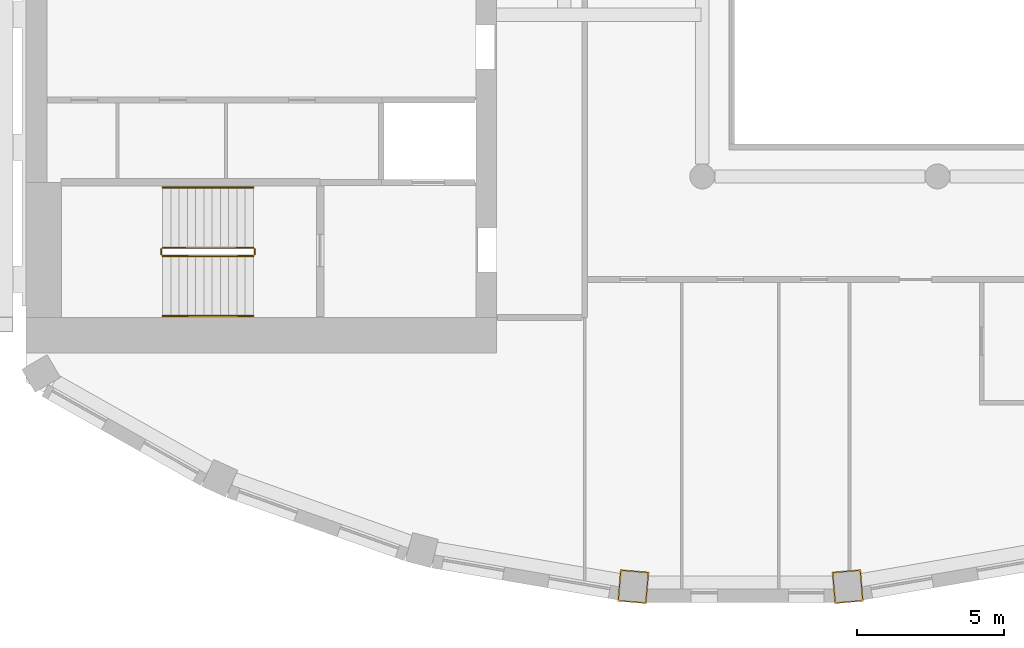
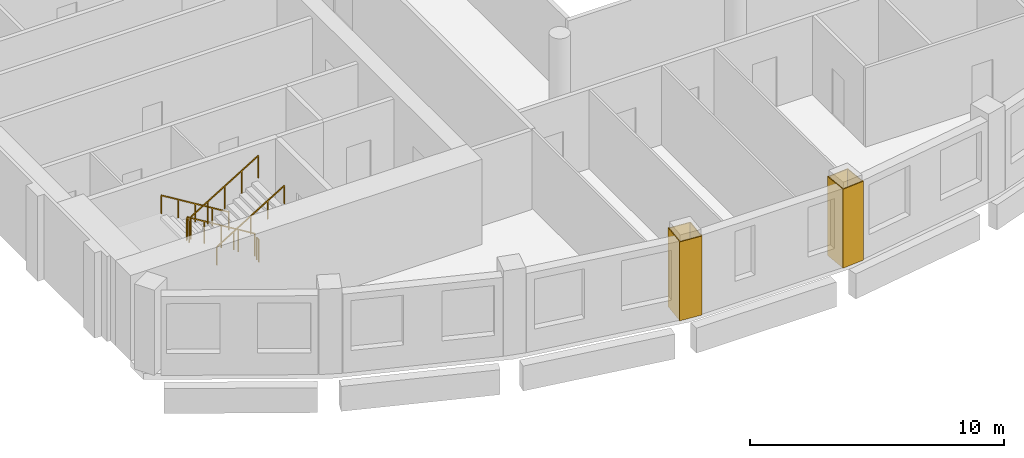
# One storey, part 11 of 15: 6 railings, 2 coverings.
"""IFC4 building model written with IfcOpenShell, lengths in metres."""

import ifcopenshell
import ifcopenshell.guid

model = None  # the IFC model being written
_history = None  # IfcOwnerHistory: only IFC2X3 demands one
_inside = {}  # id of a spatial element -> (the spatial element, [elements in it])
_under = {}  # id of a project, library or spatial element -> (it, [spatial elements below it])
_declared = {}  # id of a project -> (the project, [libraries it declares])
_typed = {}  # id of a type object -> (the type object, [elements of that type])
_made_of = {}  # id of a material, layer set ... -> (it, [elements and type objects made of it])


def new_model(schema):
    """Start an empty IFC model of exactly this schema.

    Asked for "IFC4X3", IfcOpenShell would pick the latest addendum, in which some entities
    have other attributes; the version numbers below select the first issue.
    IFC2X3 requires an IfcOwnerHistory on every rooted entity: one is made here for all.
    """
    global model, _history
    if schema == "IFC4X3":
        model = ifcopenshell.file(schema_version=(4, 3, 0, 0))
    else:
        model = ifcopenshell.file(schema=schema)
    _inside.clear()
    _under.clear()
    _declared.clear()
    _typed.clear()
    _made_of.clear()
    _history = None
    if model.schema == "IFC2X3":
        org = make("IfcOrganization", Name="unknown")
        user = make(
            "IfcPersonAndOrganization",
            ThePerson=make("IfcPerson", FamilyName="unknown"),
            TheOrganization=org,
        )
        app = make(
            "IfcApplication",
            ApplicationDeveloper=org,
            Version="unknown",
            ApplicationFullName="unknown",
            ApplicationIdentifier="unknown",
        )
        _history = make(
            "IfcOwnerHistory",
            OwningUser=user,
            OwningApplication=app,
            ChangeAction="ADDED",
            CreationDate=0,
        )
    return model


def make(cls, **values):
    """One entity of the class cls with the attributes given. An attribute that is None is left unset."""
    return model.create_entity(
        cls, **{name: value for name, value in values.items() if value is not None}
    )


def rooted(cls, **values):
    """An entity with a GlobalId (a new one), such as an element, a storey or a relation."""
    return make(cls, GlobalId=ifcopenshell.guid.new(), OwnerHistory=_history, **values)


def si_unit(unit_type, name, prefix=None):
    """IfcSIUnit, for example si_unit("LENGTHUNIT", "METRE", prefix="MILLI")."""
    return make("IfcSIUnit", UnitType=unit_type, Prefix=prefix, Name=name)


def assignment(units):
    """IfcUnitAssignment: the units of a project."""
    return None if units is None else make("IfcUnitAssignment", Units=units)


def point(xyz):
    """IfcCartesianPoint."""
    return None if xyz is None else make("IfcCartesianPoint", Coordinates=xyz)


def direction(xyz):
    """IfcDirection."""
    return None if xyz is None else make("IfcDirection", DirectionRatios=xyz)


def frame(location, z_axis=None, x_axis=None):
    """IfcAxis2Placement3D, a coordinate frame: its origin and axes. An axis left out is left unset."""
    return make(
        "IfcAxis2Placement3D",
        Location=point(location),
        Axis=direction(z_axis),
        RefDirection=direction(x_axis),
    )


def frame_2d(location, x_axis=None):
    """IfcAxis2Placement2D, a coordinate frame in the plane: its origin and x axis."""
    return make(
        "IfcAxis2Placement2D", Location=point(location), RefDirection=direction(x_axis)
    )


def origin():
    """The frame at (0, 0, 0) with its axes left unset."""
    return frame((0.0, 0.0, 0.0))


def origin_2d():
    """The frame at (0, 0) in the plane with its x axis left unset."""
    return frame_2d((0.0, 0.0))


def place(relative_to, where):
    """IfcLocalPlacement: puts the frame where relative to a parent placement (None: the world)."""
    return make(
        "IfcLocalPlacement", PlacementRelTo=relative_to, RelativePlacement=where
    )


def context(
    kind, dimensions, precision=None, world=None, true_north=None, identifier=None
):
    """IfcGeometricRepresentationContext, for example the 3D "Model" context."""
    return make(
        "IfcGeometricRepresentationContext",
        ContextIdentifier=identifier,
        ContextType=kind,
        CoordinateSpaceDimension=dimensions,
        Precision=precision,
        WorldCoordinateSystem=world,
        TrueNorth=true_north,
    )


def subcontext(parent, identifier, kind, view, scale=None):
    """IfcGeometricRepresentationSubContext, for example "Body" below "Model"."""
    return make(
        "IfcGeometricRepresentationSubContext",
        ContextIdentifier=identifier,
        ContextType=kind,
        ParentContext=parent,
        TargetScale=scale,
        TargetView=view,
    )


def project(units=None, contexts=None):
    """IfcProject with its units and contexts."""
    return rooted(
        "IfcProject",
        Name="project",
        RepresentationContexts=contexts,
        UnitsInContext=assignment(units),
    )


def spatial(cls, under=None, at=None, **own):
    """A site, building, storey or space (cls), placed at a placement, below another one or the project."""
    s = rooted(cls, ObjectPlacement=at, **own)
    if under is not None:
        _under.setdefault(under.id(), (under, []))[1].append(s)
    return s


def polyline(points):
    """IfcPolyline through the points."""
    return make("IfcPolyline", Points=[point(p) for p in points])


def profile(cls, at=None, kind="AREA", **sizes):
    """A parametric profile (cls). Its sizes go by their IFC names, for example OverallWidth=200.0."""
    return make(cls, ProfileType=kind, Position=at, **sizes)


def rectangle(**sizes):
    """IfcRectangleProfileDef."""
    return profile("IfcRectangleProfileDef", **sizes)


def outline(outer, holes=None, kind="AREA"):
    """IfcArbitraryClosedProfileDef: a profile drawn as a closed curve; with holes, ...WithVoids."""
    if holes is None:
        return make("IfcArbitraryClosedProfileDef", ProfileType=kind, OuterCurve=outer)
    return make(
        "IfcArbitraryProfileDefWithVoids",
        ProfileType=kind,
        OuterCurve=outer,
        InnerCurves=holes,
    )


def extrude(swept, where, along, depth):
    """IfcExtrudedAreaSolid: the profile swept, set in the frame where, extruded along a direction by depth."""
    return make(
        "IfcExtrudedAreaSolid",
        SweptArea=swept,
        Position=where,
        ExtrudedDirection=direction(along),
        Depth=depth,
    )


def shape(context_of_items, identifier, shape_type, items):
    """IfcShapeRepresentation: the items that make up one representation, for example the "Body"."""
    return make(
        "IfcShapeRepresentation",
        ContextOfItems=context_of_items,
        RepresentationIdentifier=identifier,
        RepresentationType=shape_type,
        Items=items,
    )


def material(Name=None, Category=None):
    """IfcMaterial."""
    return make("IfcMaterial", Name=Name, Category=Category)


def layer(
    of_material, thickness, ventilated=None, Name=None, Category=None, Priority=None
):
    """IfcMaterialLayer: one layer of a wall or slab, of a material (None: an air gap)."""
    return make(
        "IfcMaterialLayer",
        Material=of_material,
        LayerThickness=thickness,
        IsVentilated=ventilated,
        Name=Name,
        Category=Category,
        Priority=Priority,
    )


def layer_set(layers, Name=None):
    """IfcMaterialLayerSet."""
    return make("IfcMaterialLayerSet", MaterialLayers=layers, LayerSetName=Name)


def made_of(thing, what):
    """Note that an element or type object is made of a material, layer set ...; save() writes the relation."""
    if what is not None:
        _made_of.setdefault(what.id(), (what, []))[1].append(thing)
    return thing


def type_object(cls, material=None, **own):
    """A type object (cls), such as IfcWallType, which elements share."""
    return made_of(rooted(cls, **own), material)


def element(
    cls,
    number,
    at=None,
    inside=None,
    cuts=None,
    type_object=None,
    material=None,
    context=None,
    identifier="Body",
    shape_type=None,
    held_by="IfcProductDefinitionShape",
    body=None,
    shapes=None,
    **own,
):
    """One element of the class cls, such as IfcWall. Its Tag is "e" and its number.

    at: its placement. inside: the storey or other place that contains it. cuts: it is an
    opening in that element (IfcRelVoidsElement). A single representation is given by context,
    identifier, shape_type and body (its items); several are given by shapes. held_by: the class
    of the entity that holds the representations. save() writes the other relations.
    """
    e = rooted(cls, Tag="e%d" % number, ObjectPlacement=at, **own)
    if body is not None:
        shapes = [shape(context, identifier, shape_type, body)]
    if shapes is not None:
        e.Representation = make(held_by, Representations=shapes)
    if inside is not None:
        _inside.setdefault(inside.id(), (inside, []))[1].append(e)
    if cuts is not None:
        rooted(
            "IfcRelVoidsElement", RelatingBuildingElement=cuts, RelatedOpeningElement=e
        )
    if type_object is not None:
        _typed.setdefault(type_object.id(), (type_object, []))[1].append(e)
    return made_of(e, material)


def aggregate(whole, parts):
    """IfcRelAggregates: a whole, such as a stair, and the parts it consists of."""
    return rooted("IfcRelAggregates", RelatingObject=whole, RelatedObjects=parts)


def save(model, path):
    """Write the relations noted so far, then the file.

    IfcRelAggregates (storeys below a building ...), IfcRelContainedInSpatialStructure (elements
    in a storey), IfcRelDefinesByType, IfcRelAssociatesMaterial and IfcRelDeclares: one each for
    every whole, place, type object, material and project.
    """
    for whole, parts in _under.values():
        aggregate(whole, parts)
    for where, things in _inside.values():
        rooted(
            "IfcRelContainedInSpatialStructure",
            RelatedElements=things,
            RelatingStructure=where,
        )
    for kind, things in _typed.values():
        rooted("IfcRelDefinesByType", RelatedObjects=things, RelatingType=kind)
    for what, things in _made_of.values():
        rooted("IfcRelAssociatesMaterial", RelatedObjects=things, RelatingMaterial=what)
    for by, libraries in _declared.values():
        rooted("IfcRelDeclares", RelatingContext=by, RelatedDefinitions=libraries)
    model.write(path)


model = new_model("IFC4")

# Units and contexts
model_context = context("Model", 3, precision=1e-05, world=origin(), true_north=direction((0.0, 1.0)))
body_context = subcontext(model_context, "Body", "Model", "MODEL_VIEW")
ifc_project = project(units=[si_unit("LENGTHUNIT", "METRE"), si_unit("AREAUNIT", "SQUARE_METRE"), si_unit("VOLUMEUNIT", "CUBIC_METRE"), si_unit("PLANEANGLEUNIT", "RADIAN"), si_unit("MASSUNIT", "GRAM", prefix="KILO")], contexts=[model_context])

# Site, building, storey
site_placement = place(None, origin())
site = spatial("IfcSite", under=ifc_project, at=site_placement, CompositionType="ELEMENT")
building_placement = place(site_placement, origin())
building = spatial("IfcBuilding", under=site, at=building_placement, Name="Cypress Arch Tower", CompositionType="ELEMENT")
storey_placement = place(building_placement, frame((0.0, 0.0, 259.800048828125)))
storey = spatial("IfcBuildingStorey", under=building, at=storey_placement, Name="L58", CompositionType="ELEMENT", Elevation=259.800048828125)

# Coverings
ifc_material_1 = material(Name="Painted plasterboard column casing")
ifc_layer = layer(ifc_material_1, 0.0400390625)
ifc_layer_set = layer_set([ifc_layer], Name="Column casing CK40")
covering_type = type_object("IfcCoveringType", Name="Column casing CK40", PredefinedType="CLADDING", material=ifc_layer_set)
covering_1_placement = place(storey_placement, origin())
element("IfcCovering", 1, at=covering_1_placement, inside=storey, type_object=covering_type, Name="Column casing L58 CC14", PredefinedType="CLADDING", context=body_context, shape_type="SweptSolid", body=[
    extrude(outline(polyline([(-9.881103515625, -24.44970703125), (-9.789306640625, -23.373779296875), (-8.812744140625, -23.457275390625), (-8.90478515625, -24.533203125), (-9.881103515625, -24.44970703125)]), holes=[polyline([(-9.837890625, -24.413330078125), (-8.941162109375, -24.489990234375), (-8.85595703125, -23.49365234375), (-9.752685546875, -23.4169921875), (-9.837890625, -24.413330078125)])]), origin(), (0.0, 0.0, 1.0), 3.800048828125),
])
covering_2_placement = place(storey_placement, origin())
element("IfcCovering", 2, at=covering_2_placement, inside=storey, type_object=covering_type, Name="Column casing L58 CC15", PredefinedType="CLADDING", context=body_context, shape_type="SweptSolid", body=[
    extrude(outline(polyline([(-2.495361328125, -24.533203125), (-2.587158203125, -23.457275390625), (-1.61083984375, -23.373779296875), (-1.518798828125, -24.44970703125), (-2.495361328125, -24.533203125)]), holes=[polyline([(-2.458740234375, -24.489990234375), (-1.56201171875, -24.413330078125), (-1.647216796875, -23.4169921875), (-2.5439453125, -23.49365234375), (-2.458740234375, -24.489990234375)])]), origin(), (0.0, 0.0, 1.0), 3.800048828125),
])

# Railings
ifc_material_2 = material(Name="Black powder-coated steel square bar 48 mm", Category="steel")
railing_type_1 = type_object("IfcRailingType", Name="Stair handrail HR1", PredefinedType="HANDRAIL", material=ifc_material_2)
railing_1_placement = place(storey_placement, frame((-22.27490234375, -10.375, 0.1708984375)))
element("IfcRailing", 3, at=railing_1_placement, inside=storey, type_object=railing_type_1, Name="L58 A stair handrail 1", PredefinedType="HANDRAIL", context=body_context, shape_type="SweptSolid", body=[
    extrude(rectangle(XDim=0.048095703125, YDim=0.048095703125, at=origin_2d()), frame((0.0, 0.0, 0.8759765625), z_axis=(-0.853666305674, 0.0, 0.52082035152), x_axis=(0.0, -1.0, 0.0)), (0.0, 0.0, 1.0), 3.608154296875),
    extrude(rectangle(XDim=0.0419921875, YDim=0.0419921875, at=origin_2d()), origin(), (0.0, 0.0, 1.0), 0.851806640625),
    extrude(rectangle(XDim=0.0419921875, YDim=0.0419921875, at=origin_2d()), frame((-0.77001953125, 0.0, 0.4697265625)), (0.0, 0.0, 1.0), 0.851806640625),
    extrude(rectangle(XDim=0.0419921875, YDim=0.0419921875, at=origin_2d()), frame((-1.5400390625, 0.0, 0.939453125)), (0.0, 0.0, 1.0), 0.851806640625),
    extrude(rectangle(XDim=0.0419921875, YDim=0.0419921875, at=origin_2d()), frame((-2.31005859375, 0.0, 1.409423828125)), (0.0, 0.0, 1.0), 0.851806640625),
    extrude(rectangle(XDim=0.0419921875, YDim=0.0419921875, at=origin_2d()), frame((-3.080078125, 0.0, 1.879150390625)), (0.0, 0.0, 1.0), 0.851806640625),
])
railing_2_placement = place(storey_placement, frame((-25.35498046875, -14.75, 2.220703125)))
element("IfcRailing", 4, at=railing_2_placement, inside=storey, type_object=railing_type_1, Name="L58 A stair handrail 2", PredefinedType="HANDRAIL", context=body_context, shape_type="SweptSolid", body=[
    extrude(rectangle(XDim=0.048095703125, YDim=0.048095703125, at=origin_2d()), frame((0.0, 0.0, 0.8759765625), z_axis=(0.853666305674, 0.0, 0.52082035152), x_axis=(0.0, 1.0, 0.0)), (0.0, 0.0, 1.0), 3.608154296875),
    extrude(rectangle(XDim=0.0419921875, YDim=0.0419921875, at=origin_2d()), origin(), (0.0, 0.0, 1.0), 0.851806640625),
    extrude(rectangle(XDim=0.0419921875, YDim=0.0419921875, at=origin_2d()), frame((0.77001953125, 0.0, 0.4697265625)), (0.0, 0.0, 1.0), 0.851806640625),
    extrude(rectangle(XDim=0.0419921875, YDim=0.0419921875, at=origin_2d()), frame((1.5400390625, 0.0, 0.939453125)), (0.0, 0.0, 1.0), 0.851806640625),
    extrude(rectangle(XDim=0.0419921875, YDim=0.0419921875, at=origin_2d()), frame((2.31005859375, 0.0, 1.409423828125)), (0.0, 0.0, 1.0), 0.851806640625),
    extrude(rectangle(XDim=0.0419921875, YDim=0.0419921875, at=origin_2d()), frame((3.080078125, 0.0, 1.879150390625)), (0.0, 0.0, 1.0), 0.851806640625),
])
ifc_material_3 = material(Name="Black powder-coated steel balusters", Category="steel")
railing_type_2 = type_object("IfcRailingType", Name="Stair well guard G1", PredefinedType="GUARDRAIL", material=ifc_material_3)
railing_3_placement = place(storey_placement, frame((-22.27490234375, -12.425048828125, 0.1708984375)))
element("IfcRailing", 5, at=railing_3_placement, inside=storey, type_object=railing_type_2, Name="L58 A stair guard 1", PredefinedType="GUARDRAIL", context=body_context, shape_type="SweptSolid", body=[
    extrude(rectangle(XDim=0.048095703125, YDim=0.048095703125, at=origin_2d()), frame((0.0, 0.0, 1.076171875), z_axis=(-0.853666305674, 0.0, 0.52082035152), x_axis=(0.0, -1.0, 0.0)), (0.0, 0.0, 1.0), 3.608154296875),
    extrude(rectangle(XDim=0.0419921875, YDim=0.0419921875, at=origin_2d()), origin(), (0.0, 0.0, 1.0), 1.052001953125),
    extrude(rectangle(XDim=0.0419921875, YDim=0.0419921875, at=origin_2d()), frame((-0.77001953125, 0.0, 0.4697265625)), (0.0, 0.0, 1.0), 1.052001953125),
    extrude(rectangle(XDim=0.0419921875, YDim=0.0419921875, at=origin_2d()), frame((-1.5400390625, 0.0, 0.939453125)), (0.0, 0.0, 1.0), 1.052001953125),
    extrude(rectangle(XDim=0.0419921875, YDim=0.0419921875, at=origin_2d()), frame((-2.31005859375, 0.0, 1.409423828125)), (0.0, 0.0, 1.0), 1.052001953125),
    extrude(rectangle(XDim=0.0419921875, YDim=0.0419921875, at=origin_2d()), frame((-3.080078125, 0.0, 1.879150390625)), (0.0, 0.0, 1.0), 1.052001953125),
])
railing_4_placement = place(storey_placement, frame((-25.405029296875, -12.47509765625, 2.050048828125)))
element("IfcRailing", 6, at=railing_4_placement, inside=storey, type_object=railing_type_2, Name="L58 A stair guard 2", PredefinedType="GUARDRAIL", context=body_context, shape_type="SweptSolid", body=[
    extrude(rectangle(XDim=0.048095703125, YDim=0.048095703125, at=origin_2d()), frame((0.0, 0.0, 1.076171875), z_axis=(0.0, -1.0, 0.0), x_axis=(1.0, 0.0, 0.0)), (0.0, 0.0, 1.0), 0.1748046875),
    extrude(rectangle(XDim=0.0419921875, YDim=0.0419921875, at=origin_2d()), origin(), (0.0, 0.0, 1.0), 1.052001953125),
    extrude(rectangle(XDim=0.0419921875, YDim=0.0419921875, at=origin_2d()), frame((0.0, -0.1748046875, 0.0)), (0.0, 0.0, 1.0), 1.052001953125),
])
railing_5_placement = place(storey_placement, frame((-25.35498046875, -12.699951171875, 2.220703125)))
element("IfcRailing", 7, at=railing_5_placement, inside=storey, type_object=railing_type_2, Name="L58 A stair guard 3", PredefinedType="GUARDRAIL", context=body_context, shape_type="SweptSolid", body=[
    extrude(rectangle(XDim=0.048095703125, YDim=0.048095703125, at=origin_2d()), frame((0.0, 0.0, 1.076171875), z_axis=(0.853666305674, 0.0, 0.52082035152), x_axis=(0.0, 1.0, 0.0)), (0.0, 0.0, 1.0), 3.608154296875),
    extrude(rectangle(XDim=0.0419921875, YDim=0.0419921875, at=origin_2d()), origin(), (0.0, 0.0, 1.0), 1.052001953125),
    extrude(rectangle(XDim=0.0419921875, YDim=0.0419921875, at=origin_2d()), frame((0.77001953125, 0.0, 0.4697265625)), (0.0, 0.0, 1.0), 1.052001953125),
    extrude(rectangle(XDim=0.0419921875, YDim=0.0419921875, at=origin_2d()), frame((1.5400390625, 0.0, 0.939453125)), (0.0, 0.0, 1.0), 1.052001953125),
    extrude(rectangle(XDim=0.0419921875, YDim=0.0419921875, at=origin_2d()), frame((2.31005859375, 0.0, 1.409423828125)), (0.0, 0.0, 1.0), 1.052001953125),
    extrude(rectangle(XDim=0.0419921875, YDim=0.0419921875, at=origin_2d()), frame((3.080078125, 0.0, 1.879150390625)), (0.0, 0.0, 1.0), 1.052001953125),
])
railing_6_placement = place(storey_placement, frame((-22.22509765625, -12.47509765625, 0.0)))
element("IfcRailing", 8, at=railing_6_placement, inside=storey, type_object=railing_type_2, Name="L58 A stair guard 4", PredefinedType="GUARDRAIL", context=body_context, shape_type="SweptSolid", body=[
    extrude(rectangle(XDim=0.048095703125, YDim=0.048095703125, at=origin_2d()), frame((0.0, 0.0, 1.076171875), z_axis=(0.0, -1.0, 0.0), x_axis=(1.0, 0.0, 0.0)), (0.0, 0.0, 1.0), 0.1748046875),
    extrude(rectangle(XDim=0.0419921875, YDim=0.0419921875, at=origin_2d()), origin(), (0.0, 0.0, 1.0), 1.052001953125),
    extrude(rectangle(XDim=0.0419921875, YDim=0.0419921875, at=origin_2d()), frame((0.0, -0.1748046875, 0.0)), (0.0, 0.0, 1.0), 1.052001953125),
])

save(model, "model.ifc")
